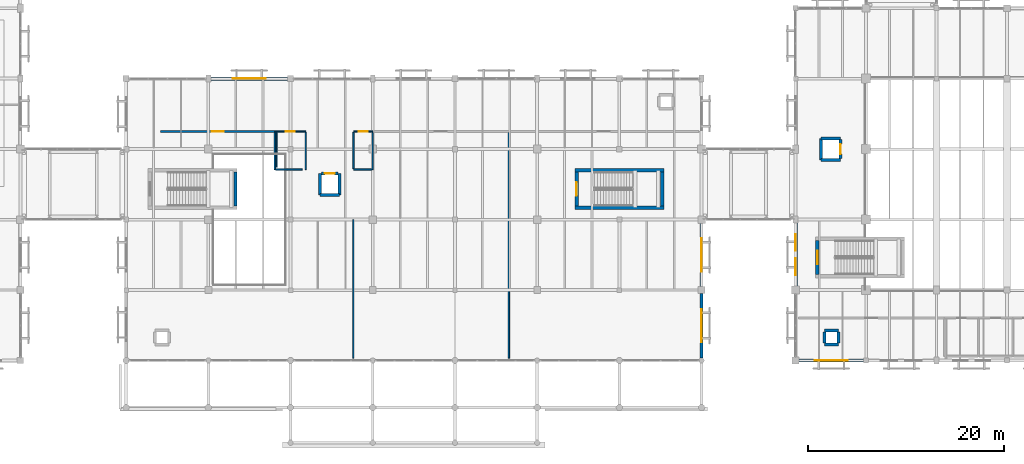
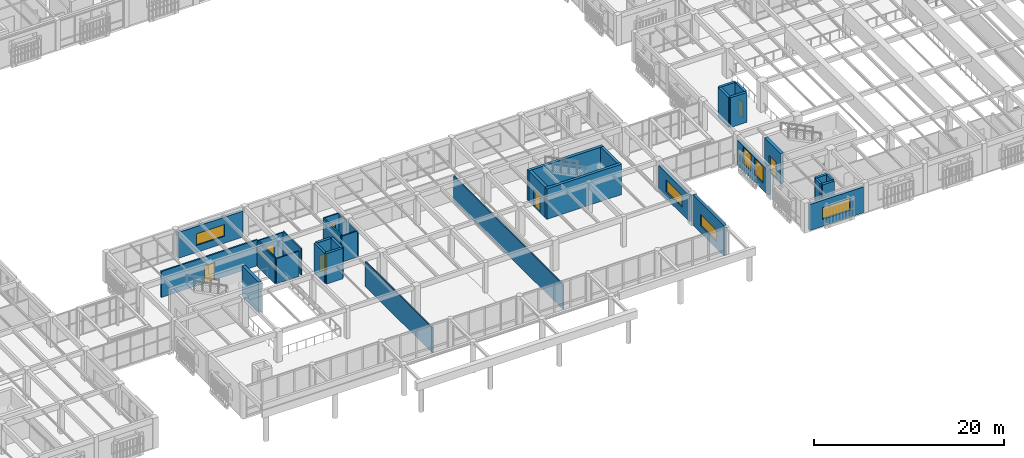
# One storey, part 131 of 170: 35 walls, 7 doors, 6 windows, 13 openings.
"""IFC4 building model written with IfcOpenShell, lengths in metres."""

from ifc_helpers import new_model, si_unit, direction, frame, frame_2d, origin, place, context, subcontext, project, spatial, rectangle, extrude, material, layer, layer_set, type_object, element, fill, save


model = new_model("IFC4")

# Units and contexts
model_context = context("Model", 3, precision=1e-05, world=origin(), true_north=direction((0.0, 1.0)))
body_context = subcontext(model_context, "Body", "Model", "MODEL_VIEW")
ifc_project = project(units=[si_unit("LENGTHUNIT", "METRE"), si_unit("AREAUNIT", "SQUARE_METRE"), si_unit("VOLUMEUNIT", "CUBIC_METRE"), si_unit("PLANEANGLEUNIT", "RADIAN"), si_unit("MASSUNIT", "GRAM", prefix="KILO")], contexts=[model_context])

# Site, building, storey
site_placement = place(None, origin())
site = spatial("IfcSite", under=ifc_project, at=site_placement, CompositionType="ELEMENT")
building_placement = place(site_placement, origin())
building = spatial("IfcBuilding", under=site, at=building_placement, Name="Mazaris Harbour Polytechnic", CompositionType="ELEMENT")
storey_placement = place(building_placement, frame((0.0, 0.0, 5.39990234375)))
storey = spatial("IfcBuildingStorey", under=building, at=storey_placement, Name="L01", CompositionType="ELEMENT", Elevation=5.39990234375)

# Wall
ifc_material_1 = material(Name="Double Gypsum and Mineral Wool")
ifc_layer_1 = layer(ifc_material_1, 0.14990234375, Name="Double Gypsum and Mineral Wool")
ifc_layer_set_1 = layer_set([ifc_layer_1], Name="Double Gypsum and Mineral Wool")
wall_type_1 = type_object("IfcWallType", Name="Classroom Acoustic Partition 150", PredefinedType="PARTITIONING", material=ifc_layer_set_1)
wall_1_placement = place(storey_placement, frame((93.10009765625, 7.449951171875, 0.0), z_axis=(0.0, 0.0, 1.0), x_axis=(0.0, 1.0, 0.0)))
element("IfcWall", 1, at=wall_1_placement, inside=storey, type_object=wall_type_1, Name="V3 L01 Partition 218", PredefinedType="PARTITIONING", context=body_context, shape_type="SweptSolid", body=[
    extrude(rectangle(XDim=23.030029296875, YDim=0.14990234375, at=frame_2d((11.51513671875, 0.0))), origin(), (0.0, 0.0, 1.0), 3.239990234375),
])

# Wall, opening, door
ifc_material_2 = material(Name="Terracotta Block and Plaster", Category="masonry")
ifc_layer_2 = layer(ifc_material_2, 0.179931640625, Name="Terracotta Block and Plaster")
ifc_layer_set_2 = layer_set([ifc_layer_2], Name="Terracotta Block and Plaster")
wall_type_2 = type_object("IfcWallType", Name="Corridor Fire Partition 180", PredefinedType="PARTITIONING", material=ifc_layer_set_2)
wall_2_placement = place(storey_placement, frame((57.52001953125, 30.60009765625, 0.0), z_axis=(0.0, 0.0, 1.0), x_axis=(1.0, 0.0, 0.0)))
wall_2 = element("IfcWall", 2, at=wall_2_placement, inside=storey, type_object=wall_type_2, Name="V3 L01 Partition 214", PredefinedType="PARTITIONING", context=body_context, shape_type="SweptSolid", body=[
    extrude(rectangle(XDim=11.675048828125, YDim=0.179931640625, at=frame_2d((5.83740234375, 0.0))), origin(), (0.0, 0.0, 1.0), 3.340087890625),
])
opening_1_placement = place(wall_2_placement, frame((5.217529296875, 0.0, 0.0)))
opening_1 = element("IfcOpeningElement", 3, at=opening_1_placement, cuts=wall_2, Name="Opening ID-10R", PredefinedType="OPENING", context=body_context, shape_type="SweptSolid", body=[
    extrude(rectangle(XDim=1.239990234375, YDim=2.25, at=frame_2d((0.6201171875, 1.125))), frame((0.0, 0.099853515625, 0.0), z_axis=(0.0, -1.0, 0.0), x_axis=(1.0, 0.0, 0.0)), (0.0, 0.0, 1.0), 0.199951171875),
])
ifc_material_3 = material(Name="Glulam Timber and Glass", Category="wood")
door_type_1 = type_object("IfcDoorType", Name="Library Commons Door RH 1240x2250", OperationType="SINGLE_SWING_RIGHT", PredefinedType="DOOR", material=ifc_material_3)
door_1_placement = place(opening_1_placement, origin())
door_1 = element("IfcDoor", 4, at=door_1_placement, inside=storey, type_object=door_type_1, Name="ID-0098", OperationType="SINGLE_SWING_RIGHT", OverallHeight=2.25, OverallWidth=1.239990234375, PredefinedType="DOOR", context=body_context, shape_type="SweptSolid", body=[
    extrude(rectangle(XDim=1.239990234375, YDim=2.25, at=frame_2d((0.6201171875, 1.125))), frame((0.0, 0.02490234375, 0.0), z_axis=(0.0, -1.0, 0.0), x_axis=(1.0, 0.0, 0.0)), (0.0, 0.0, 1.0), 0.050048828125),
])
fill(opening_1, door_1)

# Wall, opening, window
ifc_material_4 = material(Name="Algerian Buff Limestone and Mineral Wool", Category="masonry")
ifc_layer_3 = layer(ifc_material_4, 0.330078125, Name="Algerian Buff Limestone and Mineral Wool")
ifc_layer_set_3 = layer_set([ifc_layer_3], Name="Algerian Buff Limestone and Mineral Wool")
wall_type_3 = type_object("IfcWallType", Name="Limestone Cavity Wall 330", PredefinedType="STANDARD", material=ifc_layer_set_3)
wall_3_placement = place(storey_placement, frame((62.64208984375, 36.0, 0.0), z_axis=(0.0, 0.0, 1.0), x_axis=(1.0, 0.0, 0.0)))
wall_3 = element("IfcWall", 5, at=wall_3_placement, inside=storey, type_object=wall_type_3, Name="V3 L01 Exterior Wall 108", PredefinedType="STANDARD", context=body_context, shape_type="SweptSolid", body=[
    extrude(rectangle(XDim=7.865966796875, YDim=0.330078125, at=frame_2d((3.93310546875, 0.0))), origin(), (0.0, 0.0, 1.0), 3.340087890625),
])
opening_2_placement = place(wall_3_placement, frame((2.23291015625, 0.0, 0.89990234375)))
opening_2 = element("IfcOpeningElement", 6, at=opening_2_placement, cuts=wall_3, Name="Opening WN-16", PredefinedType="OPENING", context=body_context, shape_type="SweptSolid", body=[
    extrude(rectangle(XDim=3.39990234375, YDim=1.5, at=frame_2d((1.699951171875, 0.75))), frame((0.0, 0.175048828125, 0.0), z_axis=(0.0, -1.0, 0.0), x_axis=(1.0, 0.0, 0.0)), (0.0, 0.0, 1.0), 0.35009765625),
])
ifc_material_5 = material(Name="Thermally Broken Bronze Aluminium and Low-E Glass", Category="aluminium")
window_type_1 = type_object("IfcWindowType", Name="Workshop Clerestory Ribbon 3400x1500", PartitioningType="DOUBLE_PANEL_VERTICAL", PredefinedType="WINDOW", material=ifc_material_5)
window_1_placement = place(opening_2_placement, origin())
window_1 = element("IfcWindow", 7, at=window_1_placement, inside=storey, type_object=window_type_1, Name="WN-0115", OverallHeight=1.5, OverallWidth=3.39990234375, PartitioningType="DOUBLE_PANEL_VERTICAL", PredefinedType="WINDOW", context=body_context, shape_type="SweptSolid", body=[
    extrude(rectangle(XDim=3.39990234375, YDim=1.5, at=frame_2d((1.699951171875, 0.75))), frame((0.0, 0.030029296875, 0.0), z_axis=(0.0, -1.0, 0.0), x_axis=(1.0, 0.0, 0.0)), (0.0, 0.0, 1.0), 0.06005859375),
])
fill(opening_2, window_1)

wall_4_placement = place(storey_placement, frame((112.800048828125, 14.05810546875, 0.0), z_axis=(0.0, 0.0, 1.0), x_axis=(0.0, -1.0, 0.0)))
wall_4 = element("IfcWall", 8, at=wall_4_placement, inside=storey, type_object=wall_type_3, Name="V3 L01 Exterior Wall 114", PredefinedType="STANDARD", context=body_context, shape_type="SweptSolid", body=[
    extrude(rectangle(XDim=6.591064453125, YDim=0.330078125, at=frame_2d((3.29541015625, 0.0))), origin(), (0.0, 0.0, 1.0), 3.920166015625),
])
opening_3_placement = place(wall_4_placement, frame((1.595458984375, 0.0, 0.89990234375)))
opening_3 = element("IfcOpeningElement", 9, at=opening_3_placement, cuts=wall_4, Name="Opening WN-16", PredefinedType="OPENING", context=body_context, shape_type="SweptSolid", body=[
    extrude(rectangle(XDim=3.39990234375, YDim=1.5, at=frame_2d((1.699951171875, 0.75))), frame((0.0, 0.175048828125, 0.0), z_axis=(0.0, -1.0, 0.0), x_axis=(1.0, 0.0, 0.0)), (0.0, 0.0, 1.0), 0.35009765625),
])
window_2_placement = place(opening_3_placement, origin())
window_2 = element("IfcWindow", 10, at=window_2_placement, inside=storey, type_object=window_type_1, Name="WN-0121", OverallHeight=1.5, OverallWidth=3.39990234375, PartitioningType="DOUBLE_PANEL_VERTICAL", PredefinedType="WINDOW", context=body_context, shape_type="SweptSolid", body=[
    extrude(rectangle(XDim=3.39990234375, YDim=1.5, at=frame_2d((1.699951171875, 0.75))), frame((0.0, 0.030029296875, 0.0), z_axis=(0.0, -1.0, 0.0), x_axis=(1.0, 0.0, 0.0)), (0.0, 0.0, 1.0), 0.06005859375),
])
fill(opening_3, window_2)

wall_5_placement = place(storey_placement, frame((112.800048828125, 21.23291015625, 0.0), z_axis=(0.0, 0.0, 1.0), x_axis=(0.0, -1.0, 0.0)))
wall_5 = element("IfcWall", 11, at=wall_5_placement, inside=storey, type_object=wall_type_3, Name="V3 L01 Exterior Wall 115", PredefinedType="STANDARD", context=body_context, shape_type="SweptSolid", body=[
    extrude(rectangle(XDim=6.490966796875, YDim=0.330078125, at=frame_2d((3.24560546875, 0.0))), origin(), (0.0, 0.0, 1.0), 3.340087890625),
])
opening_4_placement = place(wall_5_placement, frame((1.54541015625, 0.0, 0.89990234375)))
opening_4 = element("IfcOpeningElement", 12, at=opening_4_placement, cuts=wall_5, Name="Opening WN-16", PredefinedType="OPENING", context=body_context, shape_type="SweptSolid", body=[
    extrude(rectangle(XDim=3.39990234375, YDim=1.5, at=frame_2d((1.699951171875, 0.75))), frame((0.0, 0.175048828125, 0.0), z_axis=(0.0, -1.0, 0.0), x_axis=(1.0, 0.0, 0.0)), (0.0, 0.0, 1.0), 0.35009765625),
])
window_3_placement = place(opening_4_placement, origin())
window_3 = element("IfcWindow", 13, at=window_3_placement, inside=storey, type_object=window_type_1, Name="WN-0122", OverallHeight=1.5, OverallWidth=3.39990234375, PartitioningType="DOUBLE_PANEL_VERTICAL", PredefinedType="WINDOW", context=body_context, shape_type="SweptSolid", body=[
    extrude(rectangle(XDim=3.39990234375, YDim=1.5, at=frame_2d((1.699951171875, 0.75))), frame((0.0, 0.030029296875, 0.0), z_axis=(0.0, -1.0, 0.0), x_axis=(1.0, 0.0, 0.0)), (0.0, 0.0, 1.0), 0.06005859375),
])
fill(opening_4, window_3)

ifc_material_6 = material(Name="Algerian Buff Limestone and Concrete C30/37", Category="masonry")
ifc_layer_4 = layer(ifc_material_6, 0.344970703125, Name="Algerian Buff Limestone and Concrete C30/37")
ifc_layer_set_4 = layer_set([ifc_layer_4], Name="Algerian Buff Limestone and Concrete C30/37")
wall_type_4 = type_object("IfcWallType", Name="Pavilion Gable Wall 345", PredefinedType="STANDARD", material=ifc_layer_set_4)
wall_6_placement = place(storey_placement, frame((129.3330078125, 7.199951171875, 0.0), z_axis=(0.0, 0.0, 1.0), x_axis=(-1.0, 0.0, 0.0)))
wall_6 = element("IfcWall", 14, at=wall_6_placement, inside=storey, type_object=wall_type_4, Name="V2 L01 Exterior Wall 51", PredefinedType="STANDARD", context=body_context, shape_type="SweptSolid", body=[
    extrude(rectangle(XDim=6.56591796875, YDim=0.344970703125, at=frame_2d((3.282958984375, 0.0))), origin(), (0.0, 0.0, 1.0), 3.330078125),
])
opening_5_placement = place(wall_6_placement, frame((1.5830078125, 0.0, 0.89990234375)))
opening_5 = element("IfcOpeningElement", 15, at=opening_5_placement, cuts=wall_6, Name="Opening WN-16", PredefinedType="OPENING", context=body_context, shape_type="SweptSolid", body=[
    extrude(rectangle(XDim=3.39990234375, YDim=1.5, at=frame_2d((1.699951171875, 0.75))), frame((0.0, 0.182373046875, 0.0), z_axis=(0.0, -1.0, 0.0), x_axis=(1.0, 0.0, 0.0)), (0.0, 0.0, 1.0), 0.364990234375),
])
window_4_placement = place(opening_5_placement, origin())
window_4 = element("IfcWindow", 16, at=window_4_placement, inside=storey, type_object=window_type_1, Name="WN-0038", OverallHeight=1.5, OverallWidth=3.39990234375, PartitioningType="DOUBLE_PANEL_VERTICAL", PredefinedType="WINDOW", context=body_context, shape_type="SweptSolid", body=[
    extrude(rectangle(XDim=3.39990234375, YDim=1.5, at=frame_2d((1.699951171875, 0.75))), frame((0.0, 0.030029296875, 0.0), z_axis=(0.0, -1.0, 0.0), x_axis=(1.0, 0.0, 0.0)), (0.0, 0.0, 1.0), 0.06005859375),
])
fill(opening_5, window_4)

# Wall, openings, windows
wall_7_placement = place(storey_placement, frame((122.39990234375, 14.7919921875, 0.0), z_axis=(0.0, 0.0, 1.0), x_axis=(0.0, 1.0, 0.0)))
wall_7 = element("IfcWall", 17, at=wall_7_placement, inside=storey, type_object=wall_type_4, Name="V2 L01 Exterior Wall 60", PredefinedType="STANDARD", context=body_context, shape_type="SweptSolid", body=[
    extrude(rectangle(XDim=6.466064453125, YDim=0.344970703125, at=frame_2d((3.23291015625, 0.0))), origin(), (0.0, 0.0, 1.0), 3.210205078125),
])
opening_6_placement = place(wall_7_placement, frame((1.133056640625, 0.0, 0.949951171875)))
opening_6 = element("IfcOpeningElement", 18, at=opening_6_placement, cuts=wall_7, Name="Opening WN-11", PredefinedType="OPENING", context=body_context, shape_type="SweptSolid", body=[
    extrude(rectangle(XDim=1.699951171875, YDim=2.10009765625, at=frame_2d((0.85009765625, 1.050048828125))), frame((0.0, 0.182373046875, 0.0), z_axis=(0.0, -1.0, 0.0), x_axis=(1.0, 0.0, 0.0)), (0.0, 0.0, 1.0), 0.364990234375),
])
opening_7_placement = place(wall_7_placement, frame((3.633056640625, 0.0, 0.949951171875)))
opening_7 = element("IfcOpeningElement", 19, at=opening_7_placement, cuts=wall_7, Name="Opening WN-11", PredefinedType="OPENING", context=body_context, shape_type="SweptSolid", body=[
    extrude(rectangle(XDim=1.699951171875, YDim=2.10009765625, at=frame_2d((0.85009765625, 1.050048828125))), frame((0.0, 0.182373046875, 0.0), z_axis=(0.0, -1.0, 0.0), x_axis=(1.0, 0.0, 0.0)), (0.0, 0.0, 1.0), 0.364990234375),
])
ifc_material_7 = material(Name="Thermally Broken Bronze Aluminium and Low-E Glass", Category="aluminium")
window_type_2 = type_object("IfcWindowType", Name="Seminar Casement Window 1700x2100", PartitioningType="DOUBLE_PANEL_VERTICAL", PredefinedType="WINDOW", material=ifc_material_7)
window_5_placement = place(opening_6_placement, origin())
window_5 = element("IfcWindow", 20, at=window_5_placement, inside=storey, type_object=window_type_2, Name="WN-0050", OverallHeight=2.10009765625, OverallWidth=1.699951171875, PartitioningType="DOUBLE_PANEL_VERTICAL", PredefinedType="WINDOW", context=body_context, shape_type="SweptSolid", body=[
    extrude(rectangle(XDim=1.699951171875, YDim=2.10009765625, at=frame_2d((0.85009765625, 1.050048828125))), frame((0.0, 0.030029296875, 0.0), z_axis=(0.0, -1.0, 0.0), x_axis=(1.0, 0.0, 0.0)), (0.0, 0.0, 1.0), 0.06005859375),
])
fill(opening_6, window_5)
window_6_placement = place(opening_7_placement, origin())
window_6 = element("IfcWindow", 21, at=window_6_placement, inside=storey, type_object=window_type_2, Name="WN-0051", OverallHeight=2.10009765625, OverallWidth=1.699951171875, PartitioningType="DOUBLE_PANEL_VERTICAL", PredefinedType="WINDOW", context=body_context, shape_type="SweptSolid", body=[
    extrude(rectangle(XDim=1.699951171875, YDim=2.10009765625, at=frame_2d((0.85009765625, 1.050048828125))), frame((0.0, 0.030029296875, 0.0), z_axis=(0.0, -1.0, 0.0), x_axis=(1.0, 0.0, 0.0)), (0.0, 0.0, 1.0), 0.06005859375),
])
fill(opening_7, window_6)

# Walls
ifc_material_8 = material(Name="Concrete C40/50", Category="concrete")
ifc_layer_5 = layer(ifc_material_8, 0.35009765625, Name="Concrete C40/50")
ifc_layer_set_5 = layer_set([ifc_layer_5], Name="Concrete C40/50")
wall_type_5 = type_object("IfcWallType", Name="RC Core Shear Wall 350", PredefinedType="SHEAR", material=ifc_layer_set_5)
wall_8_placement = place(storey_placement, frame((65.175048828125, 23.0, 0.0), z_axis=(0.0, 0.0, 1.0), x_axis=(0.0, 1.0, 0.0)))
element("IfcWall", 22, at=wall_8_placement, inside=storey, type_object=wall_type_5, Name="Core ST05 L01 Shear Wall E", PredefinedType="SHEAR", context=body_context, shape_type="SweptSolid", body=[
    extrude(rectangle(XDim=3.449951171875, YDim=0.35009765625, at=frame_2d((1.72509765625, 0.0))), origin(), (0.0, 0.0, 1.0), 3.920166015625),
])
for number, where, z_axis, x_axis, name in (
    (23, (99.85009765625, 22.824951171875, 0.0), (0.0, 0.0, 1.0), (1.0, 0.0, 0.0), "Core ST06 L01 Shear Wall S"),
    (24, (108.949951171875, 26.625, 0.0), (0.0, 0.0, 1.0), (-1.0, 0.0, 0.0), "Core ST06 L01 Shear Wall N"),
):
    element("IfcWall", number, at=place(storey_placement, frame(where, z_axis=z_axis, x_axis=x_axis)), inside=storey, type_object=wall_type_5, Name=name, PredefinedType="SHEAR", context=body_context, shape_type="SweptSolid", body=[
        extrude(rectangle(XDim=9.099853515625, YDim=0.35009765625, at=frame_2d((4.5498046875, 0.0))), origin(), (0.0, 0.0, 1.0), 3.920166015625),
    ])
wall_9_placement = place(storey_placement, frame((108.77490234375, 23.0, 0.0), z_axis=(0.0, 0.0, 1.0), x_axis=(0.0, 1.0, 0.0)))
element("IfcWall", 25, at=wall_9_placement, inside=storey, type_object=wall_type_5, Name="Core ST06 L01 Shear Wall E", PredefinedType="SHEAR", context=body_context, shape_type="SweptSolid", body=[
    extrude(rectangle(XDim=3.449951171875, YDim=0.35009765625, at=frame_2d((1.72509765625, 0.0))), origin(), (0.0, 0.0, 1.0), 3.920166015625),
])

# Wall, opening, door
wall_10_placement = place(storey_placement, frame((124.625, 19.449951171875, 0.0), z_axis=(0.0, 0.0, 1.0), x_axis=(0.0, -1.0, 0.0)))
wall_10 = element("IfcWall", 26, at=wall_10_placement, inside=storey, type_object=wall_type_5, Name="Core ST03 L01 Entrance Shear Wall", PredefinedType="SHEAR", context=body_context, shape_type="SweptSolid", body=[
    extrude(rectangle(XDim=3.449951171875, YDim=0.35009765625, at=frame_2d((1.72509765625, 0.0))), origin(), (0.0, 0.0, 1.0), 3.85009765625),
])
opening_8_placement = place(wall_10_placement, frame((1.034912109375, 0.0, 0.0)))
opening_8 = element("IfcOpeningElement", 27, at=opening_8_placement, cuts=wall_10, Name="Opening SD-01", PredefinedType="OPENING", context=body_context, shape_type="SweptSolid", body=[
    extrude(rectangle(XDim=1.3798828125, YDim=2.199951171875, at=frame_2d((0.68994140625, 1.10009765625))), frame((0.0, 0.18505859375, 0.0), z_axis=(0.0, -1.0, 0.0), x_axis=(1.0, 0.0, 0.0)), (0.0, 0.0, 1.0), 0.3701171875),
])
ifc_material_9 = material(Name="Glulam Timber and Fire Glass", Category="wood")
door_type_2 = type_object("IfcDoorType", Name="Protected Stair Lobby Fire Door 1380x2200", OperationType="DOUBLE_DOOR_SINGLE_SWING", PredefinedType="DOOR", material=ifc_material_9)
door_2_placement = place(opening_8_placement, origin())
door_2 = element("IfcDoor", 28, at=door_2_placement, inside=storey, type_object=door_type_2, Name="SD-011", OperationType="DOUBLE_DOOR_SINGLE_SWING", OverallHeight=2.199951171875, OverallWidth=1.3798828125, PredefinedType="DOOR", context=body_context, shape_type="SweptSolid", body=[
    extrude(rectangle(XDim=1.3798828125, YDim=2.199951171875, at=frame_2d((0.68994140625, 1.10009765625))), frame((0.0, 0.02490234375, 0.0), z_axis=(0.0, -1.0, 0.0), x_axis=(1.0, 0.0, 0.0)), (0.0, 0.0, 1.0), 0.050048828125),
])
fill(opening_8, door_2)

wall_11_placement = place(storey_placement, frame((100.02490234375, 26.449951171875, 0.0), z_axis=(0.0, 0.0, 1.0), x_axis=(0.0, -1.0, 0.0)))
wall_11 = element("IfcWall", 29, at=wall_11_placement, inside=storey, type_object=wall_type_5, Name="Core ST06 L01 Entrance Shear Wall", PredefinedType="SHEAR", context=body_context, shape_type="SweptSolid", body=[
    extrude(rectangle(XDim=3.449951171875, YDim=0.35009765625, at=frame_2d((1.72509765625, 0.0))), origin(), (0.0, 0.0, 1.0), 3.920166015625),
])
opening_9_placement = place(wall_11_placement, frame((1.034912109375, 0.0, 0.0)))
opening_9 = element("IfcOpeningElement", 30, at=opening_9_placement, cuts=wall_11, Name="Opening SD-01", PredefinedType="OPENING", context=body_context, shape_type="SweptSolid", body=[
    extrude(rectangle(XDim=1.3798828125, YDim=2.199951171875, at=frame_2d((0.68994140625, 1.10009765625))), frame((0.0, 0.18505859375, 0.0), z_axis=(0.0, -1.0, 0.0), x_axis=(1.0, 0.0, 0.0)), (0.0, 0.0, 1.0), 0.3701171875),
])
door_3_placement = place(opening_9_placement, origin())
door_3 = element("IfcDoor", 31, at=door_3_placement, inside=storey, type_object=door_type_2, Name="SD-026", OperationType="DOUBLE_DOOR_SINGLE_SWING", OverallHeight=2.199951171875, OverallWidth=1.3798828125, PredefinedType="DOOR", context=body_context, shape_type="SweptSolid", body=[
    extrude(rectangle(XDim=1.3798828125, YDim=2.199951171875, at=frame_2d((0.68994140625, 1.10009765625))), frame((0.0, 0.02490234375, 0.0), z_axis=(0.0, -1.0, 0.0), x_axis=(1.0, 0.0, 0.0)), (0.0, 0.0, 1.0), 0.050048828125),
])
fill(opening_9, door_3)

# Walls
ifc_material_10 = material(Name="Concrete C40/50", Category="concrete")
ifc_layer_6 = layer(ifc_material_10, 0.300048828125, Name="Concrete C40/50")
ifc_layer_set_6 = layer_set([ifc_layer_6], Name="Concrete C40/50")
wall_type_6 = type_object("IfcWallType", Name="RC Lift Shaft Wall 300", PredefinedType="SHEAR", material=ifc_layer_set_6)
wall_12_placement = place(storey_placement, frame((125.35009765625, 8.85009765625, 0.0), z_axis=(0.0, 0.0, 1.0), x_axis=(1.0, 0.0, 0.0)))
element("IfcWall", 32, at=wall_12_placement, inside=storey, type_object=wall_type_6, Name="V2 L01 Riser Enclosure Wall 1-1", PredefinedType="SHEAR", context=body_context, shape_type="SweptSolid", body=[
    extrude(rectangle(XDim=1.419921875, YDim=0.300048828125, at=frame_2d((0.7099609375, 0.0))), origin(), (0.0, 0.0, 1.0), 3.960205078125),
])
wall_13_placement = place(storey_placement, frame((126.77001953125, 9.010009765625, 0.0), z_axis=(0.0, 0.0, 1.0), x_axis=(0.0, 1.0, 0.0)))
element("IfcWall", 33, at=wall_13_placement, inside=storey, type_object=wall_type_6, Name="V2 L01 Riser Enclosure Wall 1-2", PredefinedType="SHEAR", context=body_context, shape_type="SweptSolid", body=[
    extrude(rectangle(XDim=1.10009765625, YDim=0.300048828125, at=frame_2d((0.550048828125, 0.0))), origin(), (0.0, 0.0, 1.0), 3.960205078125),
])
wall_14_placement = place(storey_placement, frame((126.77001953125, 10.27001953125, 0.0), z_axis=(0.0, 0.0, 1.0), x_axis=(-1.0, 0.0, 0.0)))
element("IfcWall", 34, at=wall_14_placement, inside=storey, type_object=wall_type_6, Name="V2 L01 Riser Enclosure Wall 1-3", PredefinedType="SHEAR", context=body_context, shape_type="SweptSolid", body=[
    extrude(rectangle(XDim=1.419921875, YDim=0.300048828125, at=frame_2d((0.7099609375, 0.0))), origin(), (0.0, 0.0, 1.0), 3.960205078125),
])
wall_15_placement = place(storey_placement, frame((125.35009765625, 10.110107421875, 0.0), z_axis=(0.0, 0.0, 1.0), x_axis=(0.0, -1.0, 0.0)))
element("IfcWall", 35, at=wall_15_placement, inside=storey, type_object=wall_type_6, Name="V2 L01 Riser Enclosure Wall 1-4", PredefinedType="SHEAR", context=body_context, shape_type="SweptSolid", body=[
    extrude(rectangle(XDim=1.10009765625, YDim=0.300048828125, at=frame_2d((0.550048828125, 0.0))), origin(), (0.0, 0.0, 1.0), 3.960205078125),
])
for number, where, z_axis, x_axis, name in (
    (36, (125.0, 27.699951171875, 0.0), (0.0, 0.0, 1.0), (1.0, 0.0, 0.0), "Lift LP-02 L01 South Shaft Wall"),
    (37, (127.0, 29.89990234375, 0.0), (0.0, 0.0, 1.0), (-1.0, 0.0, 0.0), "Lift LP-02 L01 North Shaft Wall"),
):
    element("IfcWall", number, at=place(storey_placement, frame(where, z_axis=z_axis, x_axis=x_axis)), inside=storey, type_object=wall_type_6, Name=name, PredefinedType="SHEAR", context=body_context, shape_type="SweptSolid", body=[
        extrude(rectangle(XDim=2.0, YDim=0.300048828125, at=frame_2d((1.0, 0.0))), origin(), (0.0, 0.0, 1.0), 3.85009765625),
    ])
wall_16_placement = place(storey_placement, frame((125.0, 29.89990234375, 0.0), z_axis=(0.0, 0.0, 1.0), x_axis=(0.0, -1.0, 0.0)))
element("IfcWall", 38, at=wall_16_placement, inside=storey, type_object=wall_type_6, Name="Lift LP-02 L01 West Shaft Wall", PredefinedType="SHEAR", context=body_context, shape_type="SweptSolid", body=[
    extrude(rectangle(XDim=2.199951171875, YDim=0.300048828125, at=frame_2d((1.10009765625, 0.0))), origin(), (0.0, 0.0, 1.0), 3.85009765625),
])
wall_17_placement = place(storey_placement, frame((73.800048828125, 24.10009765625, 0.0), z_axis=(0.0, 0.0, 1.0), x_axis=(1.0, 0.0, 0.0)))
element("IfcWall", 39, at=wall_17_placement, inside=storey, type_object=wall_type_6, Name="Lift LP-03 L01 South Shaft Wall", PredefinedType="SHEAR", context=body_context, shape_type="SweptSolid", body=[
    extrude(rectangle(XDim=2.0, YDim=0.300048828125, at=frame_2d((1.0, 0.0))), origin(), (0.0, 0.0, 1.0), 3.920166015625),
])
for number, where, z_axis, x_axis, name in (
    (40, (73.800048828125, 26.300048828125, 0.0), (0.0, 0.0, 1.0), (0.0, -1.0, 0.0), "Lift LP-03 L01 West Shaft Wall"),
    (41, (75.800048828125, 24.10009765625, 0.0), (0.0, 0.0, 1.0), (0.0, 1.0, 0.0), "Lift LP-03 L01 East Shaft Wall"),
):
    element("IfcWall", number, at=place(storey_placement, frame(where, z_axis=z_axis, x_axis=x_axis)), inside=storey, type_object=wall_type_6, Name=name, PredefinedType="SHEAR", context=body_context, shape_type="SweptSolid", body=[
        extrude(rectangle(XDim=2.199951171875, YDim=0.300048828125, at=frame_2d((1.10009765625, 0.0))), origin(), (0.0, 0.0, 1.0), 3.920166015625),
    ])

# Wall, opening, door
wall_18_placement = place(storey_placement, frame((127.0, 29.760009765625, 0.0), z_axis=(0.0, 0.0, 1.0), x_axis=(0.0, -1.0, 0.0)))
wall_18 = element("IfcWall", 42, at=wall_18_placement, inside=storey, type_object=wall_type_6, Name="Lift LP-02 L01 Front Shaft Wall", PredefinedType="SHEAR", context=body_context, shape_type="SweptSolid", body=[
    extrude(rectangle(XDim=1.919921875, YDim=0.300048828125, at=frame_2d((0.9599609375, 0.0))), origin(), (0.0, 0.0, 1.0), 3.85009765625),
])
opening_10_placement = place(wall_18_placement, frame((0.4599609375, 0.0, 0.0)))
opening_10 = element("IfcOpeningElement", 43, at=opening_10_placement, cuts=wall_18, Name="Opening LD-01", PredefinedType="OPENING", context=body_context, shape_type="SweptSolid", body=[
    extrude(rectangle(XDim=1.0, YDim=2.10009765625, at=frame_2d((0.5, 1.050048828125))), frame((0.0, 0.159912109375, 0.0), z_axis=(0.0, -1.0, 0.0), x_axis=(1.0, 0.0, 0.0)), (0.0, 0.0, 1.0), 0.320068359375),
])
ifc_material_11 = material(Name="Stainless Steel S355", Category="steel")
door_type_3 = type_object("IfcDoorType", Name="Sliding Passenger Lift Landing Door 1000x2100", OperationType="SLIDING_TO_LEFT", PredefinedType="DOOR", material=ifc_material_11)
door_4_placement = place(opening_10_placement, origin())
door_4 = element("IfcDoor", 44, at=door_4_placement, inside=storey, type_object=door_type_3, Name="LD-022", OperationType="SLIDING_TO_LEFT", OverallHeight=2.10009765625, OverallWidth=1.0, PredefinedType="DOOR", context=body_context, shape_type="SweptSolid", body=[
    extrude(rectangle(XDim=1.0, YDim=2.10009765625, at=frame_2d((0.5, 1.050048828125))), frame((0.0, 0.02490234375, 0.0), z_axis=(0.0, -1.0, 0.0), x_axis=(1.0, 0.0, 0.0)), (0.0, 0.0, 1.0), 0.050048828125),
])
fill(opening_10, door_4)

wall_19_placement = place(storey_placement, frame((73.93994140625, 26.300048828125, 0.0), z_axis=(0.0, 0.0, 1.0), x_axis=(1.0, 0.0, 0.0)))
wall_19 = element("IfcWall", 45, at=wall_19_placement, inside=storey, type_object=wall_type_6, Name="Lift LP-03 L01 Front Shaft Wall", PredefinedType="SHEAR", context=body_context, shape_type="SweptSolid", body=[
    extrude(rectangle(XDim=1.719970703125, YDim=0.300048828125, at=frame_2d((0.85986328125, 0.0))), origin(), (0.0, 0.0, 1.0), 3.920166015625),
])
opening_11_placement = place(wall_19_placement, frame((0.360107421875, 0.0, 0.0)))
opening_11 = element("IfcOpeningElement", 46, at=opening_11_placement, cuts=wall_19, Name="Opening LD-01", PredefinedType="OPENING", context=body_context, shape_type="SweptSolid", body=[
    extrude(rectangle(XDim=1.0, YDim=2.10009765625, at=frame_2d((0.5, 1.050048828125))), frame((0.0, 0.159912109375, 0.0), z_axis=(0.0, -1.0, 0.0), x_axis=(1.0, 0.0, 0.0)), (0.0, 0.0, 1.0), 0.320068359375),
])
door_5_placement = place(opening_11_placement, origin())
door_5 = element("IfcDoor", 47, at=door_5_placement, inside=storey, type_object=door_type_3, Name="LD-027", OperationType="SLIDING_TO_LEFT", OverallHeight=2.10009765625, OverallWidth=1.0, PredefinedType="DOOR", context=body_context, shape_type="SweptSolid", body=[
    extrude(rectangle(XDim=1.0, YDim=2.10009765625, at=frame_2d((0.5, 1.050048828125))), frame((0.0, 0.02490234375, 0.0), z_axis=(0.0, -1.0, 0.0), x_axis=(1.0, 0.0, 0.0)), (0.0, 0.0, 1.0), 0.050048828125),
])
fill(opening_11, door_5)

ifc_material_12 = material(Name="Moisture-Resistant Gypsum and Steel Stud", Category="steel")
ifc_layer_7 = layer(ifc_material_12, 0.14501953125, Name="Moisture-Resistant Gypsum and Steel Stud")
ifc_layer_set_7 = layer_set([ifc_layer_7], Name="Moisture-Resistant Gypsum and Steel Stud")
wall_type_7 = type_object("IfcWallType", Name="Sanitary Plumbing Wall 145", PredefinedType="PLUMBINGWALL", material=ifc_layer_set_7)
wall_20_placement = place(storey_placement, frame((69.199951171875, 30.60009765625, 0.0), z_axis=(0.0, 0.0, 1.0), x_axis=(1.0, 0.0, 0.0)))
wall_20 = element("IfcWall", 48, at=wall_20_placement, inside=storey, type_object=wall_type_7, Name="V3 L01 Partition 209", PredefinedType="PLUMBINGWALL", context=body_context, shape_type="SweptSolid", body=[
    extrude(rectangle(XDim=3.16015625, YDim=0.14501953125, at=frame_2d((1.580078125, 0.0))), origin(), (0.0, 0.0, 1.0), 3.18017578125),
])
opening_12_placement = place(wall_20_placement, frame((1.1298828125, 0.0, 0.0)))
opening_12 = element("IfcOpeningElement", 49, at=opening_12_placement, cuts=wall_20, Name="Opening ID-07R", PredefinedType="OPENING", context=body_context, shape_type="SweptSolid", body=[
    extrude(rectangle(XDim=0.89990234375, YDim=2.10009765625, at=frame_2d((0.449951171875, 1.050048828125))), frame((0.0, 0.08251953125, 0.0), z_axis=(0.0, -1.0, 0.0), x_axis=(1.0, 0.0, 0.0)), (0.0, 0.0, 1.0), 0.1650390625),
])
ifc_material_13 = material(Name="Moisture-Resistant Laminate Timber", Category="wood")
door_type_4 = type_object("IfcDoorType", Name="Sanitary Room Door RH 900x2100", OperationType="SINGLE_SWING_RIGHT", PredefinedType="DOOR", material=ifc_material_13)
door_6_placement = place(opening_12_placement, origin())
door_6 = element("IfcDoor", 50, at=door_6_placement, inside=storey, type_object=door_type_4, Name="ID-0096", OperationType="SINGLE_SWING_RIGHT", OverallHeight=2.10009765625, OverallWidth=0.89990234375, PredefinedType="DOOR", context=body_context, shape_type="SweptSolid", body=[
    extrude(rectangle(XDim=0.89990234375, YDim=2.10009765625, at=frame_2d((0.449951171875, 1.050048828125))), frame((0.0, 0.02490234375, 0.0), z_axis=(0.0, -1.0, 0.0), x_axis=(1.0, 0.0, 0.0)), (0.0, 0.0, 1.0), 0.050048828125),
])
fill(opening_12, door_6)

# Walls
wall_21_placement = place(storey_placement, frame((69.199951171875, 26.699951171875, 0.0), z_axis=(0.0, 0.0, 1.0), x_axis=(0.0, 1.0, 0.0)))
element("IfcWall", 51, at=wall_21_placement, inside=storey, type_object=wall_type_7, Name="V3 L01 Partition 210", PredefinedType="PLUMBINGWALL", context=body_context, shape_type="SweptSolid", body=[
    extrude(rectangle(XDim=3.780029296875, YDim=0.14501953125, at=frame_2d((1.89013671875, 0.0))), origin(), (0.0, 0.0, 1.0), 3.18017578125),
])
wall_22_placement = place(storey_placement, frame((69.282470703125, 26.699951171875, 0.0), z_axis=(0.0, 0.0, 1.0), x_axis=(1.0, 0.0, 0.0)))
element("IfcWall", 52, at=wall_22_placement, inside=storey, type_object=wall_type_7, Name="V3 L01 Partition 211", PredefinedType="PLUMBINGWALL", context=body_context, shape_type="SweptSolid", body=[
    extrude(rectangle(XDim=2.712646484375, YDim=0.14501953125, at=frame_2d((1.3564453125, 0.0))), origin(), (0.0, 0.0, 1.0), 3.239990234375),
])

# Wall, opening, door
wall_23_placement = place(storey_placement, frame((77.239990234375, 30.60009765625, 0.0), z_axis=(0.0, 0.0, 1.0), x_axis=(1.0, 0.0, 0.0)))
wall_23 = element("IfcWall", 53, at=wall_23_placement, inside=storey, type_object=wall_type_7, Name="V3 L01 Partition 212", PredefinedType="PLUMBINGWALL", context=body_context, shape_type="SweptSolid", body=[
    extrude(rectangle(XDim=1.9599609375, YDim=0.14501953125, at=frame_2d((0.97998046875, 0.0))), origin(), (0.0, 0.0, 1.0), 3.280029296875),
])
opening_13_placement = place(wall_23_placement, frame((0.52001953125, 0.0, 0.0)))
opening_13 = element("IfcOpeningElement", 54, at=opening_13_placement, cuts=wall_23, Name="Opening ID-07L", PredefinedType="OPENING", context=body_context, shape_type="SweptSolid", body=[
    extrude(rectangle(XDim=0.919921875, YDim=2.10009765625, at=frame_2d((0.4599609375, 1.050048828125))), frame((0.0, 0.08251953125, 0.0), z_axis=(0.0, -1.0, 0.0), x_axis=(1.0, 0.0, 0.0)), (0.0, 0.0, 1.0), 0.1650390625),
])
ifc_material_14 = material(Name="Moisture-Resistant Laminate Timber", Category="wood")
door_type_5 = type_object("IfcDoorType", Name="Accessible Toilet Door LH 920x2100", OperationType="SINGLE_SWING_LEFT", PredefinedType="DOOR", material=ifc_material_14)
door_7_placement = place(opening_13_placement, origin())
door_7 = element("IfcDoor", 55, at=door_7_placement, inside=storey, type_object=door_type_5, Name="ID-0097", OperationType="SINGLE_SWING_LEFT", OverallHeight=2.10009765625, OverallWidth=0.919921875, PredefinedType="DOOR", context=body_context, shape_type="SweptSolid", body=[
    extrude(rectangle(XDim=0.919921875, YDim=2.10009765625, at=frame_2d((0.4599609375, 1.050048828125))), frame((0.0, 0.02490234375, 0.0), z_axis=(0.0, -1.0, 0.0), x_axis=(1.0, 0.0, 0.0)), (0.0, 0.0, 1.0), 0.050048828125),
])
fill(opening_13, door_7)

# Walls
wall_24_placement = place(storey_placement, frame((79.199951171875, 26.699951171875, 0.0), z_axis=(0.0, 0.0, 1.0), x_axis=(0.0, 1.0, 0.0)))
element("IfcWall", 56, at=wall_24_placement, inside=storey, type_object=wall_type_7, Name="V3 L01 Partition 213", PredefinedType="PLUMBINGWALL", context=body_context, shape_type="SweptSolid", body=[
    extrude(rectangle(XDim=3.780029296875, YDim=0.14501953125, at=frame_2d((1.89013671875, 0.0))), origin(), (0.0, 0.0, 1.0), 3.280029296875),
])
wall_25_placement = place(storey_placement, frame((72.35498046875, 26.705078125, 0.0), z_axis=(0.0, 0.0, 1.0), x_axis=(0.0, 1.0, 0.0)))
element("IfcWall", 57, at=wall_25_placement, inside=storey, type_object=wall_type_7, Name="V3 L01 Sanitary Partition 722", PredefinedType="PLUMBINGWALL", context=body_context, shape_type="SweptSolid", body=[
    extrude(rectangle(XDim=3.8125, YDim=0.14501953125, at=frame_2d((1.90625, 0.0))), origin(), (0.0, 0.0, 1.0), 3.400146484375),
])
wall_26_placement = place(storey_placement, frame((77.2451171875, 26.705078125, 0.0), z_axis=(0.0, 0.0, 1.0), x_axis=(1.0, 0.0, 0.0)))
element("IfcWall", 58, at=wall_26_placement, inside=storey, type_object=wall_type_7, Name="V3 L01 Sanitary Partition 723", PredefinedType="PLUMBINGWALL", context=body_context, shape_type="SweptSolid", body=[
    extrude(rectangle(XDim=1.872314453125, YDim=0.14501953125, at=frame_2d((0.93603515625, 0.0))), origin(), (0.0, 0.0, 1.0), 3.340087890625),
])
wall_27_placement = place(storey_placement, frame((77.2451171875, 26.78759765625, 0.0), z_axis=(0.0, 0.0, 1.0), x_axis=(0.0, 1.0, 0.0)))
element("IfcWall", 59, at=wall_27_placement, inside=storey, type_object=wall_type_7, Name="V3 L01 Sanitary Partition 724", PredefinedType="PLUMBINGWALL", context=body_context, shape_type="SweptSolid", body=[
    extrude(rectangle(XDim=3.72998046875, YDim=0.14501953125, at=frame_2d((1.864990234375, 0.0))), origin(), (0.0, 0.0, 1.0), 3.400146484375),
])
ifc_material_15 = material(Name="Gypsum Board and Mineral Wool")
ifc_layer_8 = layer(ifc_material_15, 0.135009765625, Name="Gypsum Board and Mineral Wool")
ifc_layer_set_8 = layer_set([ifc_layer_8], Name="Gypsum Board and Mineral Wool")
wall_type_8 = type_object("IfcWallType", Name="Studio Partition Wall 135", PredefinedType="PARTITIONING", material=ifc_layer_set_8)
wall_28_placement = place(storey_placement, frame((69.360107421875, 26.969970703125, 0.0), z_axis=(0.0, 0.0, 1.0), x_axis=(0.0, 1.0, 0.0)))
element("IfcWall", 60, at=wall_28_placement, inside=storey, type_object=wall_type_8, Name="V3 L01 Partition 215", PredefinedType="PARTITIONING", context=body_context, shape_type="SweptSolid", body=[
    extrude(rectangle(XDim=3.510009765625, YDim=0.135009765625, at=frame_2d((1.7548828125, 0.0))), origin(), (0.0, 0.0, 1.0), 3.18017578125),
])
wall_29_placement = place(storey_placement, frame((77.197998046875, 7.449951171875, 0.0), z_axis=(0.0, 0.0, 1.0), x_axis=(0.0, 1.0, 0.0)))
element("IfcWall", 61, at=wall_29_placement, inside=storey, type_object=wall_type_8, Name="V3 L01 Partition 217", PredefinedType="PARTITIONING", context=body_context, shape_type="SweptSolid", body=[
    extrude(rectangle(XDim=14.14501953125, YDim=0.135009765625, at=frame_2d((7.072509765625, 0.0))), origin(), (0.0, 0.0, 1.0), 3.239990234375),
])

save(model, "model.ifc")
